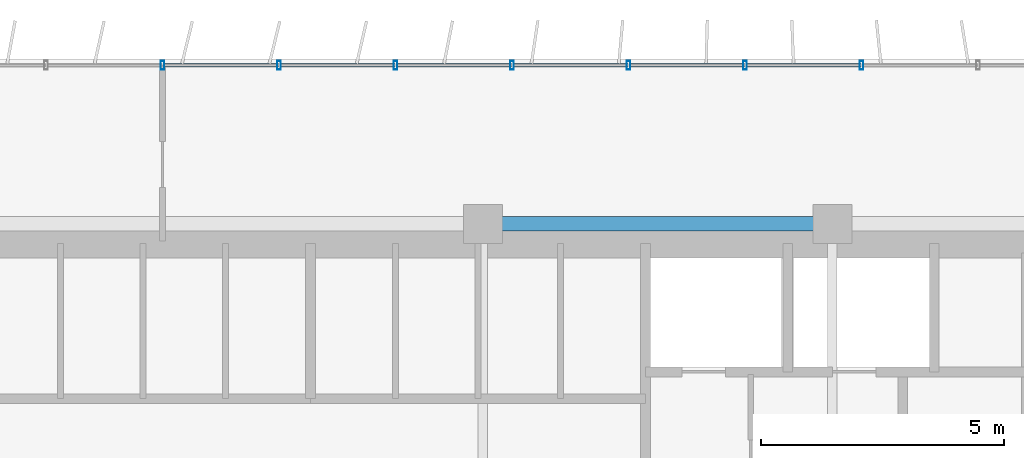
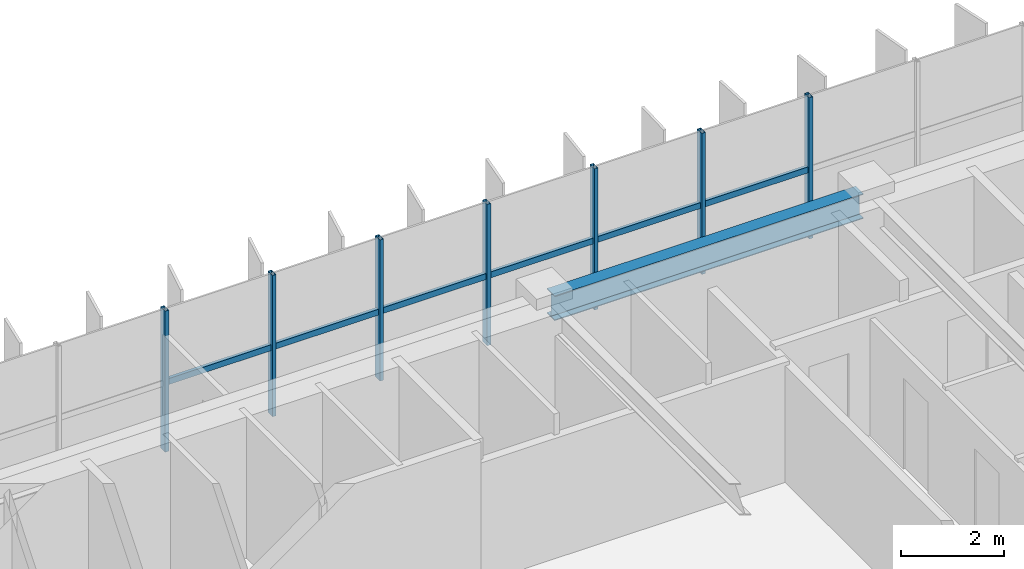
# One storey, part 9 of 22: 13 members, 1 beam, 1 element without a shape of its own.
"""IFC4 building model written with IfcOpenShell, lengths in metres."""

import ifcopenshell
import ifcopenshell.guid

model = None  # the IFC model being written
_history = None  # IfcOwnerHistory: only IFC2X3 demands one
_inside = {}  # id of a spatial element -> (the spatial element, [elements in it])
_under = {}  # id of a project, library or spatial element -> (it, [spatial elements below it])
_declared = {}  # id of a project -> (the project, [libraries it declares])
_typed = {}  # id of a type object -> (the type object, [elements of that type])
_made_of = {}  # id of a material, layer set ... -> (it, [elements and type objects made of it])


def new_model(schema):
    """Start an empty IFC model of exactly this schema.

    Asked for "IFC4X3", IfcOpenShell would pick the latest addendum, in which some entities
    have other attributes; the version numbers below select the first issue.
    IFC2X3 requires an IfcOwnerHistory on every rooted entity: one is made here for all.
    """
    global model, _history
    if schema == "IFC4X3":
        model = ifcopenshell.file(schema_version=(4, 3, 0, 0))
    else:
        model = ifcopenshell.file(schema=schema)
    _inside.clear()
    _under.clear()
    _declared.clear()
    _typed.clear()
    _made_of.clear()
    _history = None
    if model.schema == "IFC2X3":
        org = make("IfcOrganization", Name="unknown")
        user = make(
            "IfcPersonAndOrganization",
            ThePerson=make("IfcPerson", FamilyName="unknown"),
            TheOrganization=org,
        )
        app = make(
            "IfcApplication",
            ApplicationDeveloper=org,
            Version="unknown",
            ApplicationFullName="unknown",
            ApplicationIdentifier="unknown",
        )
        _history = make(
            "IfcOwnerHistory",
            OwningUser=user,
            OwningApplication=app,
            ChangeAction="ADDED",
            CreationDate=0,
        )
    return model


def make(cls, **values):
    """One entity of the class cls with the attributes given. An attribute that is None is left unset."""
    return model.create_entity(
        cls, **{name: value for name, value in values.items() if value is not None}
    )


def rooted(cls, **values):
    """An entity with a GlobalId (a new one), such as an element, a storey or a relation."""
    return make(cls, GlobalId=ifcopenshell.guid.new(), OwnerHistory=_history, **values)


def si_unit(unit_type, name, prefix=None):
    """IfcSIUnit, for example si_unit("LENGTHUNIT", "METRE", prefix="MILLI")."""
    return make("IfcSIUnit", UnitType=unit_type, Prefix=prefix, Name=name)


def assignment(units):
    """IfcUnitAssignment: the units of a project."""
    return None if units is None else make("IfcUnitAssignment", Units=units)


def point(xyz):
    """IfcCartesianPoint."""
    return None if xyz is None else make("IfcCartesianPoint", Coordinates=xyz)


def direction(xyz):
    """IfcDirection."""
    return None if xyz is None else make("IfcDirection", DirectionRatios=xyz)


def frame(location, z_axis=None, x_axis=None):
    """IfcAxis2Placement3D, a coordinate frame: its origin and axes. An axis left out is left unset."""
    return make(
        "IfcAxis2Placement3D",
        Location=point(location),
        Axis=direction(z_axis),
        RefDirection=direction(x_axis),
    )


def frame_2d(location, x_axis=None):
    """IfcAxis2Placement2D, a coordinate frame in the plane: its origin and x axis."""
    return make(
        "IfcAxis2Placement2D", Location=point(location), RefDirection=direction(x_axis)
    )


def origin():
    """The frame at (0, 0, 0) with its axes left unset."""
    return frame((0.0, 0.0, 0.0))


def origin_2d():
    """The frame at (0, 0) in the plane with its x axis left unset."""
    return frame_2d((0.0, 0.0))


def place(relative_to, where):
    """IfcLocalPlacement: puts the frame where relative to a parent placement (None: the world)."""
    return make(
        "IfcLocalPlacement", PlacementRelTo=relative_to, RelativePlacement=where
    )


def context(
    kind, dimensions, precision=None, world=None, true_north=None, identifier=None
):
    """IfcGeometricRepresentationContext, for example the 3D "Model" context."""
    return make(
        "IfcGeometricRepresentationContext",
        ContextIdentifier=identifier,
        ContextType=kind,
        CoordinateSpaceDimension=dimensions,
        Precision=precision,
        WorldCoordinateSystem=world,
        TrueNorth=true_north,
    )


def subcontext(parent, identifier, kind, view, scale=None):
    """IfcGeometricRepresentationSubContext, for example "Body" below "Model"."""
    return make(
        "IfcGeometricRepresentationSubContext",
        ContextIdentifier=identifier,
        ContextType=kind,
        ParentContext=parent,
        TargetScale=scale,
        TargetView=view,
    )


def project(units=None, contexts=None):
    """IfcProject with its units and contexts."""
    return rooted(
        "IfcProject",
        Name="project",
        RepresentationContexts=contexts,
        UnitsInContext=assignment(units),
    )


def spatial(cls, under=None, at=None, **own):
    """A site, building, storey or space (cls), placed at a placement, below another one or the project."""
    s = rooted(cls, ObjectPlacement=at, **own)
    if under is not None:
        _under.setdefault(under.id(), (under, []))[1].append(s)
    return s


def profile(cls, at=None, kind="AREA", **sizes):
    """A parametric profile (cls). Its sizes go by their IFC names, for example OverallWidth=200.0."""
    return make(cls, ProfileType=kind, Position=at, **sizes)


def hollow_rectangle(**sizes):
    """IfcRectangleHollowProfileDef."""
    return profile("IfcRectangleHollowProfileDef", **sizes)


def i_section(**sizes):
    """IfcIShapeProfileDef."""
    return profile("IfcIShapeProfileDef", **sizes)


def extrude(swept, where, along, depth):
    """IfcExtrudedAreaSolid: the profile swept, set in the frame where, extruded along a direction by depth."""
    return make(
        "IfcExtrudedAreaSolid",
        SweptArea=swept,
        Position=where,
        ExtrudedDirection=direction(along),
        Depth=depth,
    )


def shape(context_of_items, identifier, shape_type, items):
    """IfcShapeRepresentation: the items that make up one representation, for example the "Body"."""
    return make(
        "IfcShapeRepresentation",
        ContextOfItems=context_of_items,
        RepresentationIdentifier=identifier,
        RepresentationType=shape_type,
        Items=items,
    )


def source(mapping_origin, context_of_items, identifier, shape_type, items):
    """IfcRepresentationMap: a shape defined once, which mapped items show again and again."""
    return make(
        "IfcRepresentationMap",
        MappingOrigin=mapping_origin,
        MappedRepresentation=shape(context_of_items, identifier, shape_type, items),
    )


def transform(
    local_origin,
    x_axis=None,
    y_axis=None,
    z_axis=None,
    scale=None,
    scale2=None,
    scale3=None,
    uniform=True,
):
    """IfcCartesianTransformationOperator3D, or its non-uniform kind. x_axis, y_axis, z_axis: its Axis1, 2, 3."""
    if uniform:
        return make(
            "IfcCartesianTransformationOperator3D",
            Axis1=direction(x_axis),
            Axis2=direction(y_axis),
            LocalOrigin=point(local_origin),
            Scale=scale,
            Axis3=direction(z_axis),
        )
    return make(
        "IfcCartesianTransformationOperator3DnonUniform",
        Axis1=direction(x_axis),
        Axis2=direction(y_axis),
        LocalOrigin=point(local_origin),
        Scale=scale,
        Axis3=direction(z_axis),
        Scale2=scale2,
        Scale3=scale3,
    )


def mapped(mapping_source, mapping_target):
    """IfcMappedItem: shows the shape of a source again, moved by a transform."""
    return make(
        "IfcMappedItem", MappingSource=mapping_source, MappingTarget=mapping_target
    )


def material(Name=None, Category=None):
    """IfcMaterial."""
    return make("IfcMaterial", Name=Name, Category=Category)


def material_profile(
    of_material, cross_section, Name=None, Category=None, Priority=None
):
    """IfcMaterialProfile: a cross section and its material."""
    return make(
        "IfcMaterialProfile",
        Name=Name,
        Material=of_material,
        Profile=cross_section,
        Priority=Priority,
        Category=Category,
    )


def profile_set(profiles, Name=None, composite=None):
    """IfcMaterialProfileSet."""
    return make(
        "IfcMaterialProfileSet",
        Name=Name,
        MaterialProfiles=profiles,
        CompositeProfile=composite,
    )


def made_of(thing, what):
    """Note that an element or type object is made of a material, layer set ...; save() writes the relation."""
    if what is not None:
        _made_of.setdefault(what.id(), (what, []))[1].append(thing)
    return thing


def type_object(cls, material=None, **own):
    """A type object (cls), such as IfcWallType, which elements share."""
    return made_of(rooted(cls, **own), material)


def element(
    cls,
    number,
    at=None,
    inside=None,
    cuts=None,
    type_object=None,
    material=None,
    context=None,
    identifier="Body",
    shape_type=None,
    held_by="IfcProductDefinitionShape",
    body=None,
    shapes=None,
    **own,
):
    """One element of the class cls, such as IfcWall. Its Tag is "e" and its number.

    at: its placement. inside: the storey or other place that contains it. cuts: it is an
    opening in that element (IfcRelVoidsElement). A single representation is given by context,
    identifier, shape_type and body (its items); several are given by shapes. held_by: the class
    of the entity that holds the representations. save() writes the other relations.
    """
    e = rooted(cls, Tag="e%d" % number, ObjectPlacement=at, **own)
    if body is not None:
        shapes = [shape(context, identifier, shape_type, body)]
    if shapes is not None:
        e.Representation = make(held_by, Representations=shapes)
    if inside is not None:
        _inside.setdefault(inside.id(), (inside, []))[1].append(e)
    if cuts is not None:
        rooted(
            "IfcRelVoidsElement", RelatingBuildingElement=cuts, RelatedOpeningElement=e
        )
    if type_object is not None:
        _typed.setdefault(type_object.id(), (type_object, []))[1].append(e)
    return made_of(e, material)


def aggregate(whole, parts):
    """IfcRelAggregates: a whole, such as a stair, and the parts it consists of."""
    return rooted("IfcRelAggregates", RelatingObject=whole, RelatedObjects=parts)


def save(model, path):
    """Write the relations noted so far, then the file.

    IfcRelAggregates (storeys below a building ...), IfcRelContainedInSpatialStructure (elements
    in a storey), IfcRelDefinesByType, IfcRelAssociatesMaterial and IfcRelDeclares: one each for
    every whole, place, type object, material and project.
    """
    for whole, parts in _under.values():
        aggregate(whole, parts)
    for where, things in _inside.values():
        rooted(
            "IfcRelContainedInSpatialStructure",
            RelatedElements=things,
            RelatingStructure=where,
        )
    for kind, things in _typed.values():
        rooted("IfcRelDefinesByType", RelatedObjects=things, RelatingType=kind)
    for what, things in _made_of.values():
        rooted("IfcRelAssociatesMaterial", RelatedObjects=things, RelatingMaterial=what)
    for by, libraries in _declared.values():
        rooted("IfcRelDeclares", RelatingContext=by, RelatedDefinitions=libraries)
    model.write(path)


model = new_model("IFC4")

# Units and contexts
model_context = context("Model", 3, precision=1e-05, world=origin(), true_north=direction((0.0, 1.0)))
body_context = subcontext(model_context, "Body", "Model", "MODEL_VIEW")
ifc_project = project(units=[si_unit("LENGTHUNIT", "METRE"), si_unit("AREAUNIT", "SQUARE_METRE"), si_unit("VOLUMEUNIT", "CUBIC_METRE"), si_unit("PLANEANGLEUNIT", "RADIAN"), si_unit("MASSUNIT", "GRAM", prefix="KILO")], contexts=[model_context])

# Site, building, storey
site_placement = place(None, origin())
site = spatial("IfcSite", under=ifc_project, at=site_placement, CompositionType="ELEMENT")
building_placement = place(site_placement, origin())
building = spatial("IfcBuilding", under=site, at=building_placement, Name="Trelvane Seafront Commons", CompositionType="ELEMENT")
storey_placement = place(building_placement, frame((0.0, 0.0, 99.699951171875)))
storey = spatial("IfcBuildingStorey", under=building, at=storey_placement, Name="L25", CompositionType="ELEMENT", Elevation=99.699951171875)

# Beam
ifc_material_1 = material(Name="Steel SM355 (S355)", Category="steel")
ifc_material_profile_1 = material_profile(ifc_material_1, i_section(OverallWidth=0.300048828125, OverallDepth=0.587890625, WebThickness=0.011962890625, FlangeThickness=0.02001953125, at=origin_2d()), Name="H-588x300x12x20")
ifc_profile_set_1 = profile_set([ifc_material_profile_1], Name="Steel SM355 (S355)")
beam_type = type_object("IfcBeamType", Name="STR-BM-H588", PredefinedType="BEAM", material=ifc_profile_set_1)
shared_shape_1 = source(origin(), body_context, "Body", "SweptSolid", [
    extrude(i_section(OverallWidth=0.300048828125, OverallDepth=0.587890625, WebThickness=0.011962890625, FlangeThickness=0.02001953125, at=origin_2d()), origin(), (0.0, 0.0, 1.0), 6.900146484375),
])
beam_placement = place(storey_placement, frame((43.949951171875, 45.10009765625, 3.046142578125), z_axis=(1.0, 0.0, 0.0), x_axis=(0.0, 1.0, 0.0)))
element("IfcBeam", 1, at=beam_placement, inside=storey, type_object=beam_type, Name="L25 Primary Girder G-33", PredefinedType="BEAM", context=body_context, shape_type="MappedRepresentation", body=[
    mapped(shared_shape_1, transform((0.0, 0.0, 0.0), x_axis=(1.0, 0.0, 0.0), y_axis=(0.0, 1.0, 0.0), z_axis=(0.0, 0.0, 1.0), scale=1.0)),
])

# Curtain wall, members
ifc_material_2 = material(Name="Anodised pale-silver aluminium", Category="aluminium")
curtain_wall_type = type_object("IfcCurtainWallType", Name="ARCH-CW4-SKYLOBBY", PredefinedType="NOTDEFINED", material=ifc_material_2)
curtain_wall_placement = place(storey_placement, origin())
curtain_wall = element("IfcCurtainWall", 2, at=curtain_wall_placement, inside=storey, type_object=curtain_wall_type, Name="CW-L25-0050", PredefinedType="NOTDEFINED")
ifc_material_profile_2 = material_profile(ifc_material_2, hollow_rectangle(XDim=0.074951171875, YDim=0.139892578125, WallThickness=0.00390625, at=origin_2d()), Name="TRAN-75x140x4")
ifc_profile_set_2 = profile_set([ifc_material_profile_2], Name="Anodised pale-silver aluminium")
member_type_1 = type_object("IfcMemberType", Name="ARCH-CW-TRAN-140", PredefinedType="USERDEFINED", material=ifc_profile_set_2)
shared_shape_2 = source(origin(), body_context, "Body", "SweptSolid", [
    extrude(hollow_rectangle(XDim=0.074951171875, YDim=0.139892578125, WallThickness=0.00390625, at=origin_2d()), origin(), (0.0, 0.0, 1.0), 2.3759765625),
])
member_1_placement = place(storey_placement, frame((37.2119140625, 48.3701171875, 1.60302734375), z_axis=(1.0, 0.0, 0.0), x_axis=(0.0, 1.0, 0.0)))
member_1 = element("IfcMember", 3, at=member_1_placement, type_object=member_type_1, Name="CW-L25-0050-T09", ObjectType="TRANSOM", PredefinedType="USERDEFINED", context=body_context, shape_type="MappedRepresentation", body=[
    mapped(shared_shape_2, transform((0.0, 0.0, 0.0), x_axis=(1.0, 0.0, 0.0), y_axis=(0.0, 1.0, 0.0), z_axis=(0.0, 0.0, 1.0), scale=1.0)),
])
member_2_placement = place(storey_placement, frame((39.612060546875, 48.3701171875, 1.60302734375), z_axis=(1.0, 0.0, 0.0), x_axis=(0.0, 1.0, 0.0)))
member_2 = element("IfcMember", 4, at=member_2_placement, type_object=member_type_1, Name="CW-L25-0050-T10", ObjectType="TRANSOM", PredefinedType="USERDEFINED", context=body_context, shape_type="MappedRepresentation", body=[
    mapped(shared_shape_2, transform((0.0, 0.0, 0.0), x_axis=(1.0, 0.0, 0.0), y_axis=(0.0, 1.0, 0.0), z_axis=(0.0, 0.0, 1.0), scale=1.0)),
])
member_3_placement = place(storey_placement, frame((42.011962890625, 48.3701171875, 1.60302734375), z_axis=(1.0, 0.0, 0.0), x_axis=(0.0, 1.0, 0.0)))
member_3 = element("IfcMember", 5, at=member_3_placement, type_object=member_type_1, Name="CW-L25-0050-T11", ObjectType="TRANSOM", PredefinedType="USERDEFINED", context=body_context, shape_type="MappedRepresentation", body=[
    mapped(shared_shape_2, transform((0.0, 0.0, 0.0), x_axis=(1.0, 0.0, 0.0), y_axis=(0.0, 1.0, 0.0), z_axis=(0.0, 0.0, 1.0), scale=1.0)),
])
member_4_placement = place(storey_placement, frame((44.412109375, 48.3701171875, 1.60302734375), z_axis=(1.0, 0.0, 0.0), x_axis=(0.0, 1.0, 0.0)))
member_4 = element("IfcMember", 6, at=member_4_placement, type_object=member_type_1, Name="CW-L25-0050-T12", ObjectType="TRANSOM", PredefinedType="USERDEFINED", context=body_context, shape_type="MappedRepresentation", body=[
    mapped(shared_shape_2, transform((0.0, 0.0, 0.0), x_axis=(1.0, 0.0, 0.0), y_axis=(0.0, 1.0, 0.0), z_axis=(0.0, 0.0, 1.0), scale=1.0)),
])
member_5_placement = place(storey_placement, frame((46.81201171875, 48.3701171875, 1.60302734375), z_axis=(1.0, 0.0, 0.0), x_axis=(0.0, 1.0, 0.0)))
member_5 = element("IfcMember", 7, at=member_5_placement, type_object=member_type_1, Name="CW-L25-0050-T13", ObjectType="TRANSOM", PredefinedType="USERDEFINED", context=body_context, shape_type="MappedRepresentation", body=[
    mapped(shared_shape_2, transform((0.0, 0.0, 0.0), x_axis=(1.0, 0.0, 0.0), y_axis=(0.0, 1.0, 0.0), z_axis=(0.0, 0.0, 1.0), scale=1.0)),
])
member_6_placement = place(storey_placement, frame((49.2119140625, 48.3701171875, 1.60302734375), z_axis=(1.0, 0.0, 0.0), x_axis=(0.0, 1.0, 0.0)))
member_6 = element("IfcMember", 8, at=member_6_placement, type_object=member_type_1, Name="CW-L25-0050-T14", ObjectType="TRANSOM", PredefinedType="USERDEFINED", context=body_context, shape_type="MappedRepresentation", body=[
    mapped(shared_shape_2, transform((0.0, 0.0, 0.0), x_axis=(1.0, 0.0, 0.0), y_axis=(0.0, 1.0, 0.0), z_axis=(0.0, 0.0, 1.0), scale=1.0)),
])
ifc_material_profile_3 = material_profile(ifc_material_2, hollow_rectangle(XDim=0.080078125, YDim=0.179931640625, WallThickness=0.00439453125, at=origin_2d()), Name="MULL-80x180x4.5")
ifc_profile_set_3 = profile_set([ifc_material_profile_3], Name="Anodised pale-silver aluminium")
member_type_2 = type_object("IfcMemberType", Name="ARCH-CW-MULL-180", PredefinedType="MULLION", material=ifc_profile_set_3)
shared_shape_3 = source(origin(), body_context, "Body", "SweptSolid", [
    extrude(hollow_rectangle(XDim=0.080078125, YDim=0.179931640625, WallThickness=0.00439453125, at=origin_2d()), origin(), (0.0, 0.0, 1.0), 3.340087890625),
])
member_7_placement = place(storey_placement, frame((37.199951171875, 48.3701171875, 0.0), z_axis=(0.0, 0.0, 1.0), x_axis=(1.0, 0.0, 0.0)))
member_7 = element("IfcMember", 9, at=member_7_placement, type_object=member_type_2, Name="CW-L25-0050-M09", PredefinedType="MULLION", context=body_context, shape_type="MappedRepresentation", body=[
    mapped(shared_shape_3, transform((0.0, 0.0, 0.0), x_axis=(1.0, 0.0, 0.0), y_axis=(0.0, 1.0, 0.0), z_axis=(0.0, 0.0, 1.0), scale=1.0)),
])
member_8_placement = place(storey_placement, frame((39.60009765625, 48.3701171875, 0.0), z_axis=(0.0, 0.0, 1.0), x_axis=(1.0, 0.0, 0.0)))
member_8 = element("IfcMember", 10, at=member_8_placement, type_object=member_type_2, Name="CW-L25-0050-M10", PredefinedType="MULLION", context=body_context, shape_type="MappedRepresentation", body=[
    mapped(shared_shape_3, transform((0.0, 0.0, 0.0), x_axis=(1.0, 0.0, 0.0), y_axis=(0.0, 1.0, 0.0), z_axis=(0.0, 0.0, 1.0), scale=1.0)),
])
member_9_placement = place(storey_placement, frame((42.0, 48.3701171875, 0.0), z_axis=(0.0, 0.0, 1.0), x_axis=(1.0, 0.0, 0.0)))
member_9 = element("IfcMember", 11, at=member_9_placement, type_object=member_type_2, Name="CW-L25-0050-M11", PredefinedType="MULLION", context=body_context, shape_type="MappedRepresentation", body=[
    mapped(shared_shape_3, transform((0.0, 0.0, 0.0), x_axis=(1.0, 0.0, 0.0), y_axis=(0.0, 1.0, 0.0), z_axis=(0.0, 0.0, 1.0), scale=1.0)),
])
member_10_placement = place(storey_placement, frame((44.39990234375, 48.3701171875, 0.0), z_axis=(0.0, 0.0, 1.0), x_axis=(1.0, 0.0, 0.0)))
member_10 = element("IfcMember", 12, at=member_10_placement, type_object=member_type_2, Name="CW-L25-0050-M12", PredefinedType="MULLION", context=body_context, shape_type="MappedRepresentation", body=[
    mapped(shared_shape_3, transform((0.0, 0.0, 0.0), x_axis=(1.0, 0.0, 0.0), y_axis=(0.0, 1.0, 0.0), z_axis=(0.0, 0.0, 1.0), scale=1.0)),
])
member_11_placement = place(storey_placement, frame((46.800048828125, 48.3701171875, 0.0), z_axis=(0.0, 0.0, 1.0), x_axis=(1.0, 0.0, 0.0)))
member_11 = element("IfcMember", 13, at=member_11_placement, type_object=member_type_2, Name="CW-L25-0050-M13", PredefinedType="MULLION", context=body_context, shape_type="MappedRepresentation", body=[
    mapped(shared_shape_3, transform((0.0, 0.0, 0.0), x_axis=(1.0, 0.0, 0.0), y_axis=(0.0, 1.0, 0.0), z_axis=(0.0, 0.0, 1.0), scale=1.0)),
])
member_12_placement = place(storey_placement, frame((49.199951171875, 48.3701171875, 0.0), z_axis=(0.0, 0.0, 1.0), x_axis=(1.0, 0.0, 0.0)))
member_12 = element("IfcMember", 14, at=member_12_placement, type_object=member_type_2, Name="CW-L25-0050-M14", PredefinedType="MULLION", context=body_context, shape_type="MappedRepresentation", body=[
    mapped(shared_shape_3, transform((0.0, 0.0, 0.0), x_axis=(1.0, 0.0, 0.0), y_axis=(0.0, 1.0, 0.0), z_axis=(0.0, 0.0, 1.0), scale=1.0)),
])
member_13_placement = place(storey_placement, frame((51.60009765625, 48.3701171875, 0.0), z_axis=(0.0, 0.0, 1.0), x_axis=(1.0, 0.0, 0.0)))
member_13 = element("IfcMember", 15, at=member_13_placement, type_object=member_type_2, Name="CW-L25-0050-M15", PredefinedType="MULLION", context=body_context, shape_type="MappedRepresentation", body=[
    mapped(shared_shape_3, transform((0.0, 0.0, 0.0), x_axis=(1.0, 0.0, 0.0), y_axis=(0.0, 1.0, 0.0), z_axis=(0.0, 0.0, 1.0), scale=1.0)),
])
aggregate(curtain_wall, [member_7, member_8, member_9, member_10, member_11, member_12, member_13, member_1, member_2, member_3, member_4, member_5, member_6])

save(model, "model.ifc")
